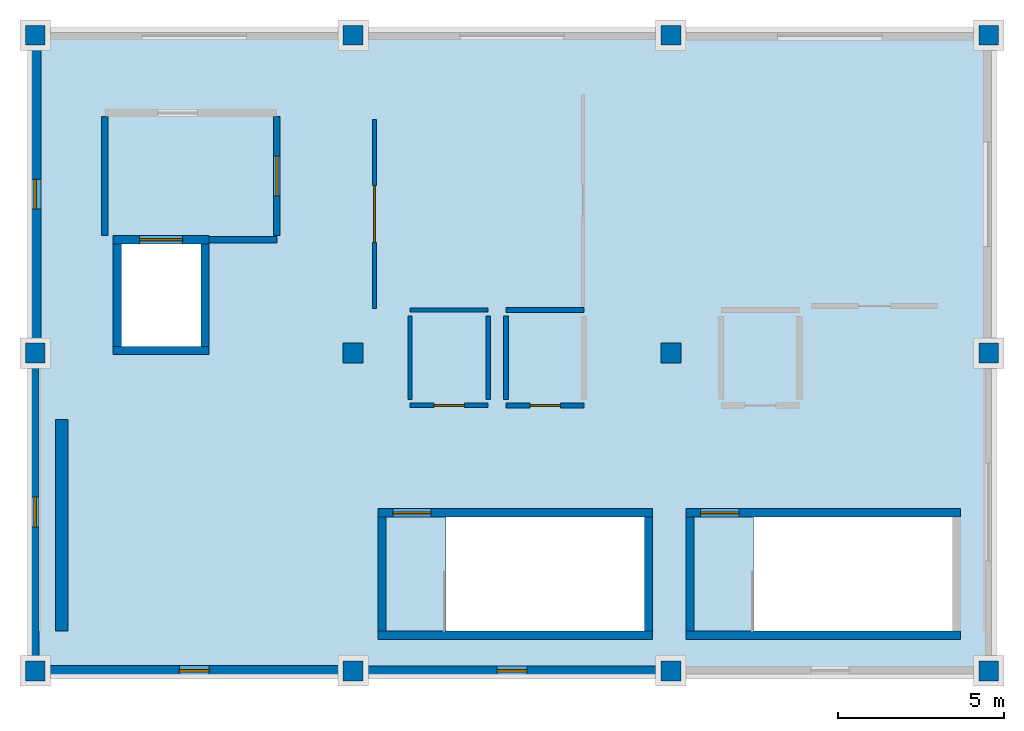
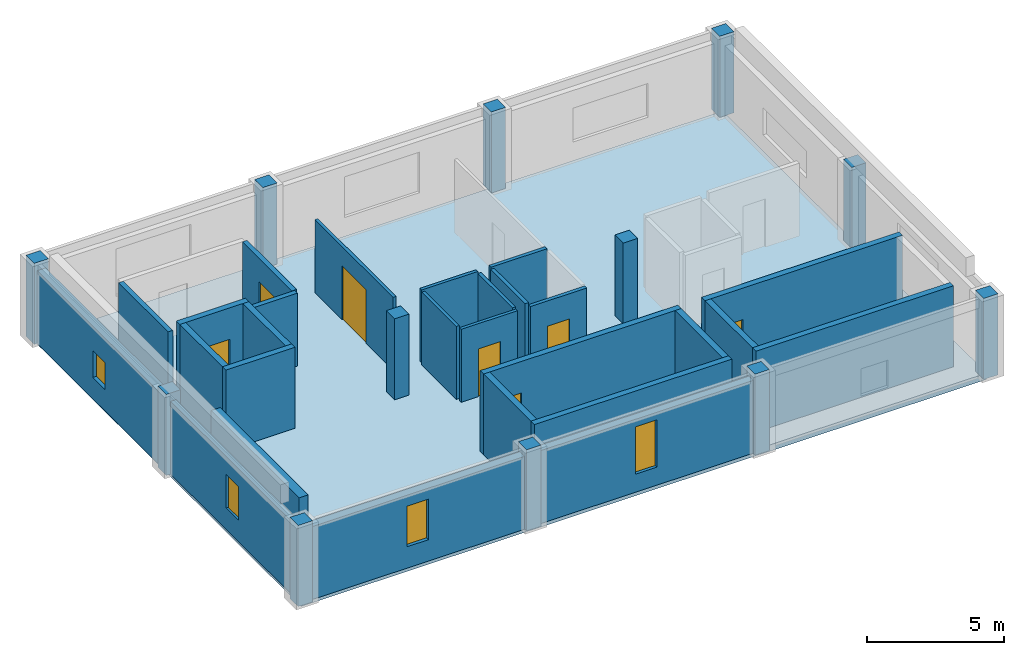
# One storey, part 1 of 3: 27 walls, 12 columns, 7 doors, 4 windows, 1 slab, 11 openings.
"""IFC4 building model written with IfcOpenShell, lengths in metres."""

from ifc_helpers import new_model, si_unit, direction, frame, frame_2d, origin, origin_2d, place, context, subcontext, project, spatial, polyline, rectangle, outline, extrude, material, layer, layer_set, material_profile, profile_set, type_object, element, fill, save


model = new_model("IFC4")

# Units and contexts
model_context = context("Model", 3, precision=1e-05, world=origin(), true_north=direction((0.0, 1.0)))
body_context = subcontext(model_context, "Body", "Model", "MODEL_VIEW")
ifc_project = project(units=[si_unit("LENGTHUNIT", "METRE"), si_unit("AREAUNIT", "SQUARE_METRE"), si_unit("VOLUMEUNIT", "CUBIC_METRE"), si_unit("PLANEANGLEUNIT", "RADIAN"), si_unit("MASSUNIT", "GRAM", prefix="KILO")], contexts=[model_context])

# Site, building, storey
site_placement = place(None, origin())
site = spatial("IfcSite", under=ifc_project, at=site_placement, CompositionType="ELEMENT")
building_placement = place(site_placement, origin())
building = spatial("IfcBuilding", under=site, at=building_placement, Name="Mavantir Sound Aquarium", CompositionType="ELEMENT")
storey_placement = place(building_placement, frame((0.0, 0.0, 23.39990234375)))
storey = spatial("IfcBuildingStorey", under=building, at=storey_placement, Name="L05", CompositionType="ELEMENT", Elevation=23.39990234375)

# Columns
ifc_material_1 = material(Name="Concrete C40/50", Category="concrete")
ifc_material_profile_1 = material_profile(ifc_material_1, rectangle(XDim=0.60009765625, YDim=0.60009765625, at=origin_2d()), Name="RC 600X600")
ifc_profile_set_1 = profile_set([ifc_material_profile_1], Name="Concrete C40/50")
column_type_1 = type_object("IfcColumnType", Name="COL-RC600-E", PredefinedType="COLUMN", material=ifc_profile_set_1)
for number, where, z_axis, x_axis, name in (
    (1, (0.0, 83.60009765625, 0.0), (0.0, 0.0, 1.0), (1.0, 0.0, 0.0), "L05 column RC-C60 (V5)"),
    (2, (0.0, 93.199951171875, 0.0), (0.0, 0.0, 1.0), (1.0, 0.0, 0.0), "L05 column RC-C60 (V5)"),
    (3, (0.0, 102.800048828125, 0.0), (0.0, 0.0, 1.0), (1.0, 0.0, 0.0), "L05 column RC-C60 (V5)"),
):
    element("IfcColumn", number, at=place(storey_placement, frame(where, z_axis=z_axis, x_axis=x_axis)), inside=storey, type_object=column_type_1, Name=name, PredefinedType="COLUMN", context=body_context, shape_type="SweptSolid", body=[
        extrude(rectangle(XDim=0.60009765625, YDim=0.60009765625, at=origin_2d()), origin(), (0.0, 0.0, 1.0), 3.60009765625),
    ])
ifc_material_profile_2 = material_profile(ifc_material_1, rectangle(XDim=0.60009765625, YDim=0.60009765625, at=origin_2d()), Name="RC 600X600")
ifc_profile_set_2 = profile_set([ifc_material_profile_2], Name="Concrete C40/50")
column_type_2 = type_object("IfcColumnType", Name="COL-RC600-I", PredefinedType="COLUMN", material=ifc_profile_set_2)
for number, where, z_axis, x_axis, name in (
    (4, (9.60009765625, 83.60009765625, 0.0), (0.0, 0.0, 1.0), (1.0, 0.0, 0.0), "L05 column RC-C60 (V5)"),
    (5, (9.60009765625, 93.199951171875, 0.0), (0.0, 0.0, 1.0), (1.0, 0.0, 0.0), "L05 column RC-C60 (V5)"),
    (6, (9.60009765625, 102.800048828125, 0.0), (0.0, 0.0, 1.0), (1.0, 0.0, 0.0), "L05 column RC-C60 (V5)"),
    (7, (19.199951171875, 83.60009765625, 0.0), (0.0, 0.0, 1.0), (1.0, 0.0, 0.0), "L05 column RC-C60 (V5)"),
    (8, (19.199951171875, 93.199951171875, 0.0), (0.0, 0.0, 1.0), (1.0, 0.0, 0.0), "L05 column RC-C60 (V5)"),
    (9, (19.199951171875, 102.800048828125, 0.0), (0.0, 0.0, 1.0), (1.0, 0.0, 0.0), "L05 column RC-C60 (V5)"),
    (10, (28.800048828125, 83.60009765625, 0.0), (0.0, 0.0, 1.0), (1.0, 0.0, 0.0), "L05 column RC-C60 (V5)"),
    (11, (28.800048828125, 93.199951171875, 0.0), (0.0, 0.0, 1.0), (1.0, 0.0, 0.0), "L05 column RC-C60 (V5)"),
    (12, (28.800048828125, 102.800048828125, 0.0), (0.0, 0.0, 1.0), (1.0, 0.0, 0.0), "L05 column RC-C60 (V5)"),
):
    element("IfcColumn", number, at=place(storey_placement, frame(where, z_axis=z_axis, x_axis=x_axis)), inside=storey, type_object=column_type_2, Name=name, PredefinedType="COLUMN", context=body_context, shape_type="SweptSolid", body=[
        extrude(rectangle(XDim=0.60009765625, YDim=0.60009765625, at=origin_2d()), origin(), (0.0, 0.0, 1.0), 3.60009765625),
    ])

# Slab
ifc_layer_1 = layer(ifc_material_1, 0.280029296875, Name="Concrete C40/50")
ifc_layer_set_1 = layer_set([ifc_layer_1], Name="Concrete C40/50")
slab_type = type_object("IfcSlabType", Name="SLB-FS-04", PredefinedType="FLOOR", material=ifc_layer_set_1)
slab_placement = place(storey_placement, frame((0.0, 0.0, -0.27978515625)))
element("IfcSlab", 13, at=slab_placement, inside=storey, type_object=slab_type, Name="L05 structural slab FS-04 (V5)", PredefinedType="FLOOR", context=body_context, shape_type="SweptSolid", body=[
    extrude(outline(polyline([(28.800048828125, 83.60009765625), (28.800048828125, 102.800048828125), (0.0, 102.800048828125), (0.0, 83.60009765625), (28.800048828125, 83.60009765625)]), holes=[polyline([(12.39990234375, 84.800048828125), (18.39990234375, 84.800048828125), (18.39990234375, 88.25), (12.39990234375, 88.25), (12.39990234375, 84.800048828125)]), polyline([(21.699951171875, 84.800048828125), (27.699951171875, 84.800048828125), (27.699951171875, 88.25), (21.699951171875, 88.25), (21.699951171875, 84.800048828125)]), polyline([(2.60009765625, 93.39990234375), (5.0, 93.39990234375), (5.0, 96.5), (2.60009765625, 96.5), (2.60009765625, 93.39990234375)])]), origin(), (0.0, 0.0, 1.0), 0.27978515625),
])

# Wall, opening, window
ifc_material_2 = material(Name="Coral-Buff Architectural Precast Concrete C40/50", Category="concrete")
ifc_layer_2 = layer(ifc_material_2, 0.31005859375, Name="Coral-Buff Architectural Precast Concrete C40/50")
ifc_layer_set_2 = layer_set([ifc_layer_2], Name="Coral-Buff Architectural Precast Concrete C40/50")
wall_type_1 = type_object("IfcWallType", Name="EW-CORAL-310", PredefinedType="SOLIDWALL", material=ifc_layer_set_2)
wall_1_placement = place(storey_placement, frame((9.907958984375, 83.60009765625, 0.0), z_axis=(0.0, 0.0, 1.0), x_axis=(1.0, 0.0, 0.0)))
wall_1 = element("IfcWall", 14, at=wall_1_placement, inside=storey, type_object=wall_type_1, Name="L05 exterior facade wall EW-02 404", PredefinedType="SOLIDWALL", context=body_context, shape_type="SweptSolid", body=[
    extrude(rectangle(XDim=8.984130859375, YDim=0.31005859375, at=frame_2d((4.4921875, 0.0))), origin(), (0.0, 0.0, 1.0), 3.238525390625),
])
opening_1_placement = place(wall_1_placement, frame((4.0419921875, 0.0, 0.800048828125)))
opening_1 = element("IfcOpeningElement", 15, at=opening_1_placement, cuts=wall_1, Name="Opening W-04", PredefinedType="OPENING", context=body_context, shape_type="SweptSolid", body=[
    extrude(rectangle(XDim=0.89990234375, YDim=2.10009765625, at=frame_2d((0.449951171875, 1.050048828125))), frame((0.0, 0.1650390625, 0.0), z_axis=(0.0, -1.0, 0.0), x_axis=(1.0, 0.0, 0.0)), (0.0, 0.0, 1.0), 0.330078125),
])
ifc_material_3 = material(Name="Thermally Broken Aluminium and Low-E Glass", Category="aluminium")
window_type_1 = type_object("IfcWindowType", Name="WIN-EXT-04", PartitioningType="SINGLE_PANEL", PredefinedType="WINDOW", material=ifc_material_3)
window_1_placement = place(opening_1_placement, origin())
window_1 = element("IfcWindow", 16, at=window_1_placement, inside=storey, type_object=window_type_1, Name="L05 facade window W-04 196", OverallHeight=2.10009765625, OverallWidth=0.89990234375, PartitioningType="SINGLE_PANEL", PredefinedType="WINDOW", context=body_context, shape_type="SweptSolid", body=[
    extrude(rectangle(XDim=0.89990234375, YDim=2.10009765625, at=frame_2d((0.449951171875, 1.050048828125))), frame((0.0, 0.030029296875, 0.0), z_axis=(0.0, -1.0, 0.0), x_axis=(1.0, 0.0, 0.0)), (0.0, 0.0, 1.0), 0.06005859375),
])
fill(opening_1, window_1)

ifc_layer_3 = layer(ifc_material_2, 0.340087890625, Name="Coral-Buff Architectural Precast Concrete C40/50")
ifc_layer_set_3 = layer_set([ifc_layer_3], Name="Coral-Buff Architectural Precast Concrete C40/50")
wall_type_2 = type_object("IfcWallType", Name="EW-CORAL-340", PredefinedType="SOLIDWALL", material=ifc_layer_set_3)
wall_2_placement = place(storey_placement, frame((0.30810546875, 83.60009765625, 0.0), z_axis=(0.0, 0.0, 1.0), x_axis=(1.0, 0.0, 0.0)))
wall_2 = element("IfcWall", 17, at=wall_2_placement, inside=storey, type_object=wall_type_2, Name="L05 exterior facade wall EW-01 403", PredefinedType="SOLIDWALL", context=body_context, shape_type="SweptSolid", body=[
    extrude(rectangle(XDim=8.98388671875, YDim=0.340087890625, at=frame_2d((4.491943359375, 0.0))), origin(), (0.0, 0.0, 1.0), 3.238525390625),
])
opening_2_placement = place(wall_2_placement, frame((4.0419921875, 0.0, 0.949951171875)))
opening_2 = element("IfcOpeningElement", 18, at=opening_2_placement, cuts=wall_2, Name="Opening W-03", PredefinedType="OPENING", context=body_context, shape_type="SweptSolid", body=[
    extrude(rectangle(XDim=0.89990234375, YDim=1.800048828125, at=frame_2d((0.449951171875, 0.89990234375))), frame((0.0, 0.18017578125, 0.0), z_axis=(0.0, -1.0, 0.0), x_axis=(1.0, 0.0, 0.0)), (0.0, 0.0, 1.0), 0.360107421875),
])
window_type_2 = type_object("IfcWindowType", Name="WIN-EXT-03", PartitioningType="SINGLE_PANEL", PredefinedType="WINDOW", material=ifc_material_3)
window_2_placement = place(opening_2_placement, origin())
window_2 = element("IfcWindow", 19, at=window_2_placement, inside=storey, type_object=window_type_2, Name="L05 facade window W-03 195", OverallHeight=1.800048828125, OverallWidth=0.89990234375, PartitioningType="SINGLE_PANEL", PredefinedType="WINDOW", context=body_context, shape_type="SweptSolid", body=[
    extrude(rectangle(XDim=0.89990234375, YDim=1.800048828125, at=frame_2d((0.449951171875, 0.89990234375))), frame((0.0, 0.030029296875, 0.0), z_axis=(0.0, -1.0, 0.0), x_axis=(1.0, 0.0, 0.0)), (0.0, 0.0, 1.0), 0.06005859375),
])
fill(opening_2, window_2)

ifc_material_4 = material(Name="Architectural Precast Concrete C40/50", Category="concrete")
ifc_layer_4 = layer(ifc_material_4, 0.239990234375, Name="Architectural Precast Concrete C40/50")
ifc_layer_set_4 = layer_set([ifc_layer_4], Name="Architectural Precast Concrete C40/50")
wall_type_3 = type_object("IfcWallType", Name="EW-PRE-240", PredefinedType="SOLIDWALL", material=ifc_layer_set_4)
wall_3_placement = place(storey_placement, frame((0.0, 92.89208984375, 0.0), z_axis=(0.0, 0.0, 1.0), x_axis=(0.0, -1.0, 0.0)))
wall_3 = element("IfcWall", 20, at=wall_3_placement, inside=storey, type_object=wall_type_3, Name="L05 exterior facade wall EW-06 402", PredefinedType="SOLIDWALL", context=body_context, shape_type="SweptSolid", body=[
    extrude(rectangle(XDim=8.984130859375, YDim=0.239990234375, at=frame_2d((4.4921875, 0.0))), origin(), (0.0, 0.0, 1.0), 3.238525390625),
])
opening_3_placement = place(wall_3_placement, frame((4.0419921875, 0.0, 0.949951171875)))
opening_3 = element("IfcOpeningElement", 21, at=opening_3_placement, cuts=wall_3, Name="Opening W-02", PredefinedType="OPENING", context=body_context, shape_type="SweptSolid", body=[
    extrude(rectangle(XDim=0.89990234375, YDim=1.5, at=frame_2d((0.449951171875, 0.75))), frame((0.0, 0.1298828125, 0.0), z_axis=(0.0, -1.0, 0.0), x_axis=(1.0, 0.0, 0.0)), (0.0, 0.0, 1.0), 0.260009765625),
])
window_type_3 = type_object("IfcWindowType", Name="WIN-EXT-02", PartitioningType="SINGLE_PANEL", PredefinedType="WINDOW", material=ifc_material_3)
window_3_placement = place(opening_3_placement, origin())
window_3 = element("IfcWindow", 22, at=window_3_placement, inside=storey, type_object=window_type_3, Name="L05 facade window W-02 194", OverallHeight=1.5, OverallWidth=0.89990234375, PartitioningType="SINGLE_PANEL", PredefinedType="WINDOW", context=body_context, shape_type="SweptSolid", body=[
    extrude(rectangle(XDim=0.89990234375, YDim=1.5, at=frame_2d((0.449951171875, 0.75))), frame((0.0, 0.030029296875, 0.0), z_axis=(0.0, -1.0, 0.0), x_axis=(1.0, 0.0, 0.0)), (0.0, 0.0, 1.0), 0.06005859375),
])
fill(opening_3, window_3)

ifc_layer_5 = layer(ifc_material_2, 0.360107421875, Name="Coral-Buff Architectural Precast Concrete C40/50")
ifc_layer_set_5 = layer_set([ifc_layer_5], Name="Coral-Buff Architectural Precast Concrete C40/50")
wall_type_4 = type_object("IfcWallType", Name="EW-PRE-360", PredefinedType="SOLIDWALL", material=ifc_layer_set_5)
wall_4_placement = place(storey_placement, frame((0.0, 102.491943359375, 0.0), z_axis=(0.0, 0.0, 1.0), x_axis=(0.0, -1.0, 0.0)))
wall_4 = element("IfcWall", 23, at=wall_4_placement, inside=storey, type_object=wall_type_4, Name="L05 exterior facade wall EW-05 401", PredefinedType="SOLIDWALL", context=body_context, shape_type="SweptSolid", body=[
    extrude(rectangle(XDim=8.98388671875, YDim=0.360107421875, at=frame_2d((4.491943359375, 0.0))), origin(), (0.0, 0.0, 1.0), 3.238525390625),
])
opening_4_placement = place(wall_4_placement, frame((4.0419921875, 0.0, 0.949951171875)))
opening_4 = element("IfcOpeningElement", 24, at=opening_4_placement, cuts=wall_4, Name="Opening W-01", PredefinedType="OPENING", context=body_context, shape_type="SweptSolid", body=[
    extrude(rectangle(XDim=0.89990234375, YDim=1.199951171875, at=frame_2d((0.449951171875, 0.60009765625))), frame((0.0, 0.18994140625, 0.0), z_axis=(0.0, -1.0, 0.0), x_axis=(1.0, 0.0, 0.0)), (0.0, 0.0, 1.0), 0.380126953125),
])
window_type_4 = type_object("IfcWindowType", Name="WIN-EXT-01", PartitioningType="SINGLE_PANEL", PredefinedType="WINDOW", material=ifc_material_3)
window_4_placement = place(opening_4_placement, origin())
window_4 = element("IfcWindow", 25, at=window_4_placement, inside=storey, type_object=window_type_4, Name="L05 facade window W-01 193", OverallHeight=1.199951171875, OverallWidth=0.89990234375, PartitioningType="SINGLE_PANEL", PredefinedType="WINDOW", context=body_context, shape_type="SweptSolid", body=[
    extrude(rectangle(XDim=0.89990234375, YDim=1.199951171875, at=frame_2d((0.449951171875, 0.60009765625))), frame((0.0, 0.030029296875, 0.0), z_axis=(0.0, -1.0, 0.0), x_axis=(1.0, 0.0, 0.0)), (0.0, 0.0, 1.0), 0.06005859375),
])
fill(opening_4, window_4)

# Wall
ifc_layer_6 = layer(ifc_material_1, 0.199951171875, Name="Concrete C40/50")
ifc_layer_set_6 = layer_set([ifc_layer_6], Name="Concrete C40/50")
wall_type_5 = type_object("IfcWallType", Name="IW-FFL-200", PredefinedType="PARTITIONING", material=ifc_layer_set_6)
wall_5_placement = place(storey_placement, frame((2.10009765625, 96.75, 0.0), z_axis=(0.0, 0.0, 1.0), x_axis=(0.0, 1.0, 0.0)))
element("IfcWall", 26, at=wall_5_placement, inside=storey, type_object=wall_type_5, Name="L05 firefighting lift lobby LC2 wall W", PredefinedType="PARTITIONING", context=body_context, shape_type="SweptSolid", body=[
    extrude(rectangle(XDim=3.60009765625, YDim=0.199951171875, at=frame_2d((1.800048828125, 0.0))), origin(), (0.0, 0.0, 1.0), 3.239990234375),
])

# Wall, opening, door
wall_6_placement = place(storey_placement, frame((7.300048828125, 96.75, 0.0), z_axis=(0.0, 0.0, 1.0), x_axis=(0.0, 1.0, 0.0)))
wall_6 = element("IfcWall", 27, at=wall_6_placement, inside=storey, type_object=wall_type_5, Name="L05 firefighting lift lobby LC2 wall E", PredefinedType="PARTITIONING", context=body_context, shape_type="SweptSolid", body=[
    extrude(rectangle(XDim=3.60009765625, YDim=0.199951171875, at=frame_2d((1.800048828125, 0.0))), origin(), (0.0, 0.0, 1.0), 3.239990234375),
])
opening_5_placement = place(wall_6_placement, frame((1.199951171875, 0.0, 0.0)))
opening_5 = element("IfcOpeningElement", 28, at=opening_5_placement, cuts=wall_6, Name="Opening FD-01", PredefinedType="OPENING", context=body_context, shape_type="SweptSolid", body=[
    extrude(rectangle(XDim=1.199951171875, YDim=2.199951171875, at=frame_2d((0.60009765625, 1.10009765625))), frame((0.0, 0.10986328125, 0.0), z_axis=(0.0, -1.0, 0.0), x_axis=(1.0, 0.0, 0.0)), (0.0, 0.0, 1.0), 0.219970703125),
])
ifc_material_5 = material(Name="Fire-Rated Steel Lobby Door Leaf", Category="steel")
door_type_1 = type_object("IfcDoorType", Name="DR-FFL-120", OperationType="NOTDEFINED", PredefinedType="DOOR", material=ifc_material_5)
door_1_placement = place(opening_5_placement, origin())
door_1 = element("IfcDoor", 29, at=door_1_placement, inside=storey, type_object=door_type_1, Name="L05 firefighting lobby LC2 stair-access door", OperationType="SINGLE_SWING_RIGHT", OverallHeight=2.199951171875, OverallWidth=1.199951171875, PredefinedType="DOOR", context=body_context, shape_type="SweptSolid", body=[
    extrude(rectangle(XDim=1.199951171875, YDim=2.199951171875, at=frame_2d((0.60009765625, 1.10009765625))), frame((0.0, 0.02490234375, 0.0), z_axis=(0.0, -1.0, 0.0), x_axis=(1.0, 0.0, 0.0)), (0.0, 0.0, 1.0), 0.050048828125),
])
fill(opening_5, door_1)

# Walls
wall_7_placement = place(storey_placement, frame((5.25, 96.625, 0.0), z_axis=(0.0, 0.0, 1.0), x_axis=(1.0, 0.0, 0.0)))
element("IfcWall", 30, at=wall_7_placement, inside=storey, type_object=wall_type_5, Name="L05 firefighting lift lobby LC2 return SE", PredefinedType="PARTITIONING", context=body_context, shape_type="SweptSolid", body=[
    extrude(rectangle(XDim=2.050048828125, YDim=0.199951171875, at=frame_2d((1.02490234375, 0.0))), origin(), (0.0, 0.0, 1.0), 3.239990234375),
])
ifc_material_6 = material(Name="Acoustic Metal-Stud Gypsum Partition", Category="gypsum")
ifc_layer_7 = layer(ifc_material_6, 0.1298828125, Name="Acoustic Metal-Stud Gypsum Partition")
ifc_layer_set_7 = layer_set([ifc_layer_7], Name="Acoustic Metal-Stud Gypsum Partition")
wall_type_6 = type_object("IfcWallType", Name="IW-PART-130", PredefinedType="PARTITIONING", material=ifc_layer_set_7)
wall_8_placement = place(storey_placement, frame((11.320068359375, 94.5, 0.0), z_axis=(0.0, 0.0, 1.0), x_axis=(1.0, 0.0, 0.0)))
element("IfcWall", 31, at=wall_8_placement, inside=storey, type_object=wall_type_6, Name="L05 L05 Mens WC partition N", PredefinedType="PARTITIONING", context=body_context, shape_type="SweptSolid", body=[
    extrude(rectangle(XDim=2.35986328125, YDim=0.1298828125, at=frame_2d((1.179931640625, 0.0))), origin(), (0.0, 0.0, 1.0), 3.239990234375),
])

# Wall, opening, door
wall_9_placement = place(storey_placement, frame((11.320068359375, 91.6201171875, 0.0), z_axis=(0.0, 0.0, 1.0), x_axis=(1.0, 0.0, 0.0)))
wall_9 = element("IfcWall", 32, at=wall_9_placement, inside=storey, type_object=wall_type_6, Name="L05 L05 Mens WC partition S", PredefinedType="PARTITIONING", context=body_context, shape_type="SweptSolid", body=[
    extrude(rectangle(XDim=2.35986328125, YDim=0.1298828125, at=frame_2d((1.179931640625, 0.0))), origin(), (0.0, 0.0, 1.0), 3.239990234375),
])
opening_6_placement = place(wall_9_placement, frame((0.719970703125, 0.0, 0.0)))
opening_6 = element("IfcOpeningElement", 33, at=opening_6_placement, cuts=wall_9, Name="Opening ID-01", PredefinedType="OPENING", context=body_context, shape_type="SweptSolid", body=[
    extrude(rectangle(XDim=0.919921875, YDim=2.1201171875, at=frame_2d((0.4599609375, 1.06005859375))), frame((0.0, 0.074951171875, 0.0), z_axis=(0.0, -1.0, 0.0), x_axis=(1.0, 0.0, 0.0)), (0.0, 0.0, 1.0), 0.14990234375),
])
ifc_material_7 = material(Name="Solid-Core Marine Hardwood and Vision-Panel Door", Category="wood")
door_type_2 = type_object("IfcDoorType", Name="DR-INT-01", OperationType="NOTDEFINED", PredefinedType="DOOR", material=ifc_material_7)
door_2_placement = place(opening_6_placement, origin())
door_2 = element("IfcDoor", 34, at=door_2_placement, inside=storey, type_object=door_type_2, Name="L05 Mens WC entrance door", OperationType="SINGLE_SWING_LEFT", OverallHeight=2.1201171875, OverallWidth=0.919921875, PredefinedType="DOOR", context=body_context, shape_type="SweptSolid", body=[
    extrude(rectangle(XDim=0.919921875, YDim=2.1201171875, at=frame_2d((0.4599609375, 1.06005859375))), frame((0.0, 0.02490234375, 0.0), z_axis=(0.0, -1.0, 0.0), x_axis=(1.0, 0.0, 0.0)), (0.0, 0.0, 1.0), 0.050048828125),
])
fill(opening_6, door_2)

# Walls
for number, where, z_axis, x_axis, name in (
    (35, (11.320068359375, 91.800048828125, 0.0), (0.0, 0.0, 1.0), (0.0, 1.0, 0.0), "L05 L05 Mens WC partition W"),
    (36, (13.679931640625, 91.800048828125, 0.0), (0.0, 0.0, 1.0), (0.0, 1.0, 0.0), "L05 L05 Mens WC partition E"),
):
    element("IfcWall", number, at=place(storey_placement, frame(where, z_axis=z_axis, x_axis=x_axis)), inside=storey, type_object=wall_type_6, Name=name, PredefinedType="PARTITIONING", context=body_context, shape_type="SweptSolid", body=[
        extrude(rectangle(XDim=2.52001953125, YDim=0.1298828125, at=frame_2d((1.260009765625, 0.0))), origin(), (0.0, 0.0, 1.0), 3.239990234375),
    ])

# Wall, opening, door
wall_10_placement = place(storey_placement, frame((10.25, 94.550048828125, 0.0), z_axis=(0.0, 0.0, 1.0), x_axis=(0.0, 1.0, 0.0)))
wall_10 = element("IfcWall", 37, at=wall_10_placement, inside=storey, type_object=wall_type_6, Name="L05 Gulf of Paria Coastal Observation Gallery entry partition", PredefinedType="PARTITIONING", context=body_context, shape_type="SweptSolid", body=[
    extrude(rectangle(XDim=5.699951171875, YDim=0.1298828125, at=frame_2d((2.85009765625, 0.0))), origin(), (0.0, 0.0, 1.0), 3.239990234375),
])
opening_7_placement = place(wall_10_placement, frame((1.989990234375, 0.0, 0.0)))
opening_7 = element("IfcOpeningElement", 38, at=opening_7_placement, cuts=wall_10, Name="Opening ID-16", PredefinedType="OPENING", context=body_context, shape_type="SweptSolid", body=[
    extrude(rectangle(XDim=1.719970703125, YDim=2.3798828125, at=frame_2d((0.85986328125, 1.18994140625))), frame((0.0, 0.074951171875, 0.0), z_axis=(0.0, -1.0, 0.0), x_axis=(1.0, 0.0, 0.0)), (0.0, 0.0, 1.0), 0.14990234375),
])
door_type_3 = type_object("IfcDoorType", Name="DR-INT-16", OperationType="NOTDEFINED", PredefinedType="DOOR", material=ifc_material_7)
door_3_placement = place(opening_7_placement, origin())
door_3 = element("IfcDoor", 39, at=door_3_placement, inside=storey, type_object=door_type_3, Name="Gulf of Paria Coastal Observation Gallery door", OperationType="SINGLE_SWING_RIGHT", OverallHeight=2.3798828125, OverallWidth=1.719970703125, PredefinedType="DOOR", context=body_context, shape_type="SweptSolid", body=[
    extrude(rectangle(XDim=1.719970703125, YDim=2.3798828125, at=frame_2d((0.85986328125, 1.18994140625))), frame((0.0, 0.02490234375, 0.0), z_axis=(0.0, -1.0, 0.0), x_axis=(1.0, 0.0, 0.0)), (0.0, 0.0, 1.0), 0.050048828125),
])
fill(opening_7, door_3)

# Wall
ifc_material_8 = material(Name="Moisture-Resistant Marine Gypsum Partition", Category="gypsum")
ifc_layer_8 = layer(ifc_material_8, 0.14990234375, Name="Moisture-Resistant Marine Gypsum Partition")
ifc_layer_set_8 = layer_set([ifc_layer_8], Name="Moisture-Resistant Marine Gypsum Partition")
wall_type_7 = type_object("IfcWallType", Name="IW-PART-150", PredefinedType="PARTITIONING", material=ifc_layer_set_8)
wall_11_placement = place(storey_placement, frame((14.219970703125, 94.5, 0.0), z_axis=(0.0, 0.0, 1.0), x_axis=(1.0, 0.0, 0.0)))
element("IfcWall", 40, at=wall_11_placement, inside=storey, type_object=wall_type_7, Name="L05 L05 Womens WC partition N", PredefinedType="PARTITIONING", context=body_context, shape_type="SweptSolid", body=[
    extrude(rectangle(XDim=2.360107421875, YDim=0.14990234375, at=frame_2d((1.18017578125, 0.0))), origin(), (0.0, 0.0, 1.0), 3.239990234375),
])

# Wall, opening, door
wall_12_placement = place(storey_placement, frame((14.219970703125, 91.6201171875, 0.0), z_axis=(0.0, 0.0, 1.0), x_axis=(1.0, 0.0, 0.0)))
wall_12 = element("IfcWall", 41, at=wall_12_placement, inside=storey, type_object=wall_type_7, Name="L05 L05 Womens WC partition S", PredefinedType="PARTITIONING", context=body_context, shape_type="SweptSolid", body=[
    extrude(rectangle(XDim=2.360107421875, YDim=0.14990234375, at=frame_2d((1.18017578125, 0.0))), origin(), (0.0, 0.0, 1.0), 3.239990234375),
])
opening_8_placement = place(wall_12_placement, frame((0.719970703125, 0.0, 0.0)))
opening_8 = element("IfcOpeningElement", 42, at=opening_8_placement, cuts=wall_12, Name="Opening ID-01", PredefinedType="OPENING", context=body_context, shape_type="SweptSolid", body=[
    extrude(rectangle(XDim=0.919921875, YDim=2.1201171875, at=frame_2d((0.4599609375, 1.06005859375))), frame((0.0, 0.0849609375, 0.0), z_axis=(0.0, -1.0, 0.0), x_axis=(1.0, 0.0, 0.0)), (0.0, 0.0, 1.0), 0.169921875),
])
door_4_placement = place(opening_8_placement, origin())
door_4 = element("IfcDoor", 43, at=door_4_placement, inside=storey, type_object=door_type_2, Name="L05 Womens WC entrance door", OperationType="SINGLE_SWING_RIGHT", OverallHeight=2.1201171875, OverallWidth=0.919921875, PredefinedType="DOOR", context=body_context, shape_type="SweptSolid", body=[
    extrude(rectangle(XDim=0.919921875, YDim=2.1201171875, at=frame_2d((0.4599609375, 1.06005859375))), frame((0.0, 0.02490234375, 0.0), z_axis=(0.0, -1.0, 0.0), x_axis=(1.0, 0.0, 0.0)), (0.0, 0.0, 1.0), 0.050048828125),
])
fill(opening_8, door_4)

# Walls
wall_13_placement = place(storey_placement, frame((14.219970703125, 91.800048828125, 0.0), z_axis=(0.0, 0.0, 1.0), x_axis=(0.0, 1.0, 0.0)))
element("IfcWall", 44, at=wall_13_placement, inside=storey, type_object=wall_type_7, Name="L05 L05 Womens WC partition W", PredefinedType="PARTITIONING", context=body_context, shape_type="SweptSolid", body=[
    extrude(rectangle(XDim=2.52001953125, YDim=0.14990234375, at=frame_2d((1.260009765625, 0.0))), origin(), (0.0, 0.0, 1.0), 3.239990234375),
])
ifc_layer_9 = layer(ifc_material_1, 0.25, Name="Concrete C40/50")
ifc_layer_set_9 = layer_set([ifc_layer_9], Name="Concrete C40/50")
wall_type_8 = type_object("IfcWallType", Name="IW-SHAFT-250", PredefinedType="SHEAR", material=ifc_layer_set_9)
wall_14_placement = place(storey_placement, frame((10.35009765625, 84.675048828125, 0.0), z_axis=(0.0, 0.0, 1.0), x_axis=(1.0, 0.0, 0.0)))
element("IfcWall", 45, at=wall_14_placement, inside=storey, type_object=wall_type_8, Name="L05 stair ST5 shaft wall S", PredefinedType="SHEAR", context=body_context, shape_type="SweptSolid", body=[
    extrude(rectangle(XDim=8.2998046875, YDim=0.25, at=frame_2d((4.14990234375, 0.0))), origin(), (0.0, 0.0, 1.0), 3.60009765625),
])

# Wall, opening, door
wall_15_placement = place(storey_placement, frame((18.64990234375, 88.375, 0.0), z_axis=(0.0, 0.0, 1.0), x_axis=(-1.0, 0.0, 0.0)))
wall_15 = element("IfcWall", 46, at=wall_15_placement, inside=storey, type_object=wall_type_8, Name="L05 stair ST5 shaft wall N", PredefinedType="SHEAR", context=body_context, shape_type="SweptSolid", body=[
    extrude(rectangle(XDim=8.2998046875, YDim=0.25, at=frame_2d((4.14990234375, 0.0))), origin(), (0.0, 0.0, 1.0), 3.60009765625),
])
opening_9_placement = place(wall_15_placement, frame((7.849853515625, 0.0, 0.0), z_axis=(0.0, 0.0, 1.0), x_axis=(-1.0, 0.0, 0.0)))
opening_9 = element("IfcOpeningElement", 47, at=opening_9_placement, cuts=wall_15, Name="Opening SD-02", PredefinedType="OPENING", context=body_context, shape_type="SweptSolid", body=[
    extrude(rectangle(XDim=1.14990234375, YDim=2.199951171875, at=frame_2d((0.574951171875, 1.10009765625))), frame((0.0, 0.135009765625, 0.0), z_axis=(0.0, -1.0, 0.0), x_axis=(1.0, 0.0, 0.0)), (0.0, 0.0, 1.0), 0.27001953125),
])
ifc_material_9 = material(Name="Fire-Rated Steel Acoustic Door Leaf", Category="steel")
door_type_4 = type_object("IfcDoorType", Name="DR-ST-115", OperationType="NOTDEFINED", PredefinedType="DOOR", material=ifc_material_9)
door_5_placement = place(opening_9_placement, origin())
door_5 = element("IfcDoor", 48, at=door_5_placement, inside=storey, type_object=door_type_4, Name="L05 protected exit stair ST5 door", OperationType="SINGLE_SWING_RIGHT", OverallHeight=2.199951171875, OverallWidth=1.14990234375, PredefinedType="DOOR", context=body_context, shape_type="SweptSolid", body=[
    extrude(rectangle(XDim=1.14990234375, YDim=2.199951171875, at=frame_2d((0.574951171875, 1.10009765625))), frame((0.0, 0.02490234375, 0.0), z_axis=(0.0, -1.0, 0.0), x_axis=(1.0, 0.0, 0.0)), (0.0, 0.0, 1.0), 0.050048828125),
])
fill(opening_9, door_5)

# Walls
for number, where, z_axis, x_axis, name in (
    (49, (10.47509765625, 88.25, 0.0), (0.0, 0.0, 1.0), (0.0, -1.0, 0.0), "L05 stair ST5 shaft wall W"),
    (50, (18.52490234375, 84.800048828125, 0.0), (0.0, 0.0, 1.0), (0.0, 1.0, 0.0), "L05 stair ST5 shaft wall E"),
):
    element("IfcWall", number, at=place(storey_placement, frame(where, z_axis=z_axis, x_axis=x_axis)), inside=storey, type_object=wall_type_8, Name=name, PredefinedType="SHEAR", context=body_context, shape_type="SweptSolid", body=[
        extrude(rectangle(XDim=3.449951171875, YDim=0.25, at=frame_2d((1.72509765625, 0.0))), origin(), (0.0, 0.0, 1.0), 3.60009765625),
    ])
wall_16_placement = place(storey_placement, frame((19.64990234375, 84.675048828125, 0.0), z_axis=(0.0, 0.0, 1.0), x_axis=(1.0, 0.0, 0.0)))
element("IfcWall", 51, at=wall_16_placement, inside=storey, type_object=wall_type_8, Name="L05 stair ST7 shaft wall S", PredefinedType="SHEAR", context=body_context, shape_type="SweptSolid", body=[
    extrude(rectangle(XDim=8.300048828125, YDim=0.25, at=frame_2d((4.14990234375, 0.0))), origin(), (0.0, 0.0, 1.0), 3.60009765625),
])

# Wall, opening, door
wall_17_placement = place(storey_placement, frame((27.949951171875, 88.375, 0.0), z_axis=(0.0, 0.0, 1.0), x_axis=(-1.0, 0.0, 0.0)))
wall_17 = element("IfcWall", 52, at=wall_17_placement, inside=storey, type_object=wall_type_8, Name="L05 stair ST7 shaft wall N", PredefinedType="SHEAR", context=body_context, shape_type="SweptSolid", body=[
    extrude(rectangle(XDim=8.300048828125, YDim=0.25, at=frame_2d((4.14990234375, 0.0))), origin(), (0.0, 0.0, 1.0), 3.60009765625),
])
opening_10_placement = place(wall_17_placement, frame((7.849853515625, 0.0, 0.0), z_axis=(0.0, 0.0, 1.0), x_axis=(-1.0, 0.0, 0.0)))
opening_10 = element("IfcOpeningElement", 53, at=opening_10_placement, cuts=wall_17, Name="Opening SD-02", PredefinedType="OPENING", context=body_context, shape_type="SweptSolid", body=[
    extrude(rectangle(XDim=1.14990234375, YDim=2.199951171875, at=frame_2d((0.574951171875, 1.10009765625))), frame((0.0, 0.135009765625, 0.0), z_axis=(0.0, -1.0, 0.0), x_axis=(1.0, 0.0, 0.0)), (0.0, 0.0, 1.0), 0.27001953125),
])
door_6_placement = place(opening_10_placement, origin())
door_6 = element("IfcDoor", 54, at=door_6_placement, inside=storey, type_object=door_type_4, Name="L05 protected exit stair ST7 door", OperationType="SINGLE_SWING_RIGHT", OverallHeight=2.199951171875, OverallWidth=1.14990234375, PredefinedType="DOOR", context=body_context, shape_type="SweptSolid", body=[
    extrude(rectangle(XDim=1.14990234375, YDim=2.199951171875, at=frame_2d((0.574951171875, 1.10009765625))), frame((0.0, 0.02490234375, 0.0), z_axis=(0.0, -1.0, 0.0), x_axis=(1.0, 0.0, 0.0)), (0.0, 0.0, 1.0), 0.050048828125),
])
fill(opening_10, door_6)

# Walls
wall_18_placement = place(storey_placement, frame((19.77490234375, 88.25, 0.0), z_axis=(0.0, 0.0, 1.0), x_axis=(0.0, -1.0, 0.0)))
element("IfcWall", 55, at=wall_18_placement, inside=storey, type_object=wall_type_8, Name="L05 stair ST7 shaft wall W", PredefinedType="SHEAR", context=body_context, shape_type="SweptSolid", body=[
    extrude(rectangle(XDim=3.449951171875, YDim=0.25, at=frame_2d((1.72509765625, 0.0))), origin(), (0.0, 0.0, 1.0), 3.60009765625),
])
wall_19_placement = place(storey_placement, frame((2.35009765625, 93.27490234375, 0.0), z_axis=(0.0, 0.0, 1.0), x_axis=(1.0, 0.0, 0.0)))
element("IfcWall", 56, at=wall_19_placement, inside=storey, type_object=wall_type_8, Name="L05 lift LC2 shaft wall S", PredefinedType="SHEAR", context=body_context, shape_type="SweptSolid", body=[
    extrude(rectangle(XDim=2.89990234375, YDim=0.25, at=frame_2d((1.449951171875, 0.0))), origin(), (0.0, 0.0, 1.0), 3.60009765625),
])

# Wall, opening, door
wall_20_placement = place(storey_placement, frame((2.35009765625, 96.625, 0.0), z_axis=(0.0, 0.0, 1.0), x_axis=(1.0, 0.0, 0.0)))
wall_20 = element("IfcWall", 57, at=wall_20_placement, inside=storey, type_object=wall_type_8, Name="L05 lift LC2 shaft wall N", PredefinedType="SHEAR", context=body_context, shape_type="SweptSolid", body=[
    extrude(rectangle(XDim=2.89990234375, YDim=0.25, at=frame_2d((1.449951171875, 0.0))), origin(), (0.0, 0.0, 1.0), 3.60009765625),
])
opening_11_placement = place(wall_20_placement, frame((0.800048828125, 0.0, 0.0)))
opening_11 = element("IfcOpeningElement", 58, at=opening_11_placement, cuts=wall_20, Name="Opening LD-01", PredefinedType="OPENING", context=body_context, shape_type="SweptSolid", body=[
    extrude(rectangle(XDim=1.300048828125, YDim=2.199951171875, at=frame_2d((0.64990234375, 1.10009765625))), frame((0.0, 0.135009765625, 0.0), z_axis=(0.0, -1.0, 0.0), x_axis=(1.0, 0.0, 0.0)), (0.0, 0.0, 1.0), 0.27001953125),
])
ifc_material_10 = material(Name="Stainless Steel 316 Sliding Lift Landing Door", Category="steel")
door_type_5 = type_object("IfcDoorType", Name="DR-LD-130", OperationType="NOTDEFINED", PredefinedType="DOOR", material=ifc_material_10)
door_7_placement = place(opening_11_placement, origin())
door_7 = element("IfcDoor", 59, at=door_7_placement, inside=storey, type_object=door_type_5, Name="Lift LC2 sliding landing door (L05)", OperationType="DOUBLE_DOOR_SLIDING", OverallHeight=2.199951171875, OverallWidth=1.300048828125, PredefinedType="DOOR", context=body_context, shape_type="SweptSolid", body=[
    extrude(rectangle(XDim=1.300048828125, YDim=2.199951171875, at=frame_2d((0.64990234375, 1.10009765625))), frame((0.0, 0.02490234375, 0.0), z_axis=(0.0, -1.0, 0.0), x_axis=(1.0, 0.0, 0.0)), (0.0, 0.0, 1.0), 0.050048828125),
])
fill(opening_11, door_7)

# Walls
for number, where, z_axis, x_axis, name in (
    (60, (2.47509765625, 93.39990234375, 0.0), (0.0, 0.0, 1.0), (0.0, 1.0, 0.0), "L05 lift LC2 shaft wall W"),
    (61, (5.125, 93.39990234375, 0.0), (0.0, 0.0, 1.0), (0.0, 1.0, 0.0), "L05 lift LC2 shaft wall E"),
):
    element("IfcWall", number, at=place(storey_placement, frame(where, z_axis=z_axis, x_axis=x_axis)), inside=storey, type_object=wall_type_8, Name=name, PredefinedType="SHEAR", context=body_context, shape_type="SweptSolid", body=[
        extrude(rectangle(XDim=3.10009765625, YDim=0.25, at=frame_2d((1.550048828125, 0.0))), origin(), (0.0, 0.0, 1.0), 3.60009765625),
    ])
ifc_layer_10 = layer(ifc_material_1, 0.3798828125, Name="Concrete C40/50")
ifc_layer_set_10 = layer_set([ifc_layer_10], Name="Concrete C40/50")
wall_type_9 = type_object("IfcWallType", Name="SW-SHR-380", PredefinedType="SHEAR", material=ifc_layer_set_10)
wall_21_placement = place(storey_placement, frame((0.800048828125, 84.800048828125, 0.0), z_axis=(0.0, 0.0, 1.0), x_axis=(0.0, 1.0, 0.0)))
element("IfcWall", 62, at=wall_21_placement, inside=storey, type_object=wall_type_9, Name="L05 special RC shear wall 37 (V5)", PredefinedType="SHEAR", context=body_context, shape_type="SweptSolid", body=[
    extrude(rectangle(XDim=6.39990234375, YDim=0.3798828125, at=frame_2d((3.199951171875, 0.0))), origin(), (0.0, 0.0, 1.0), 3.60009765625),
])

save(model, "model.ifc")
